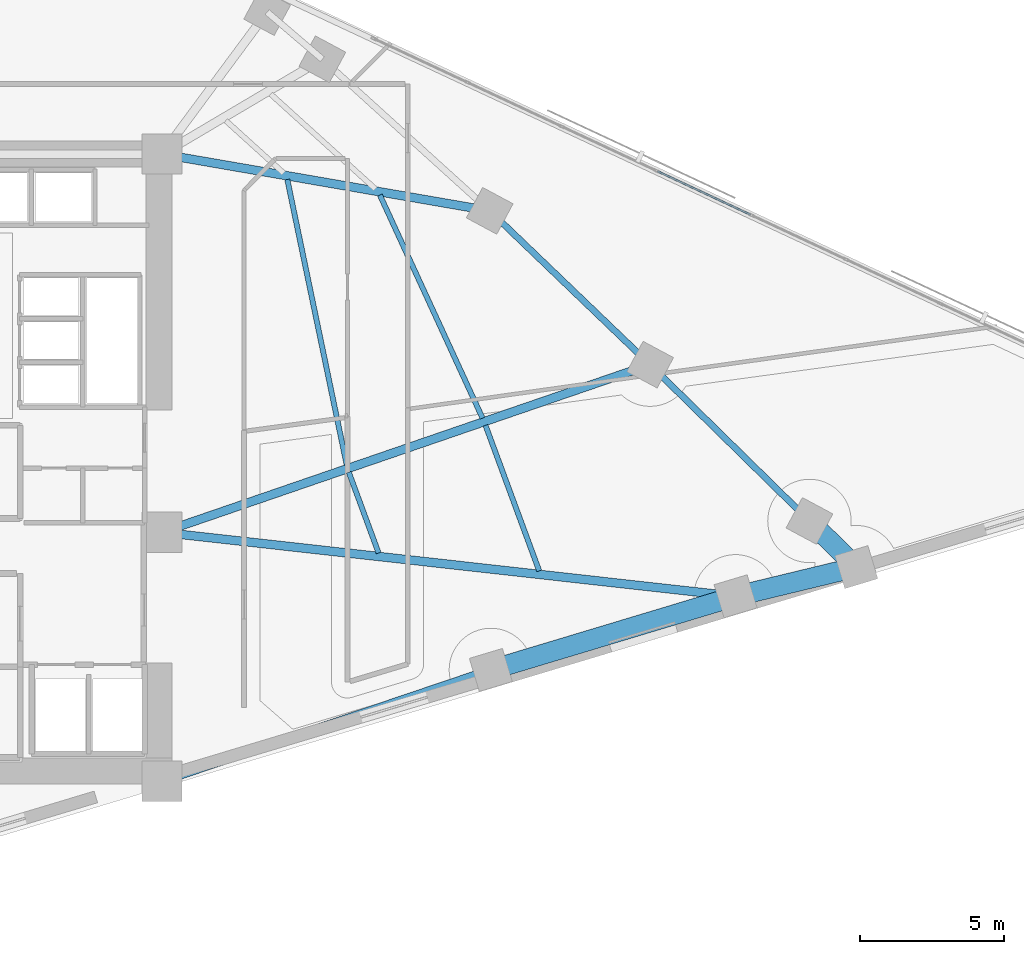
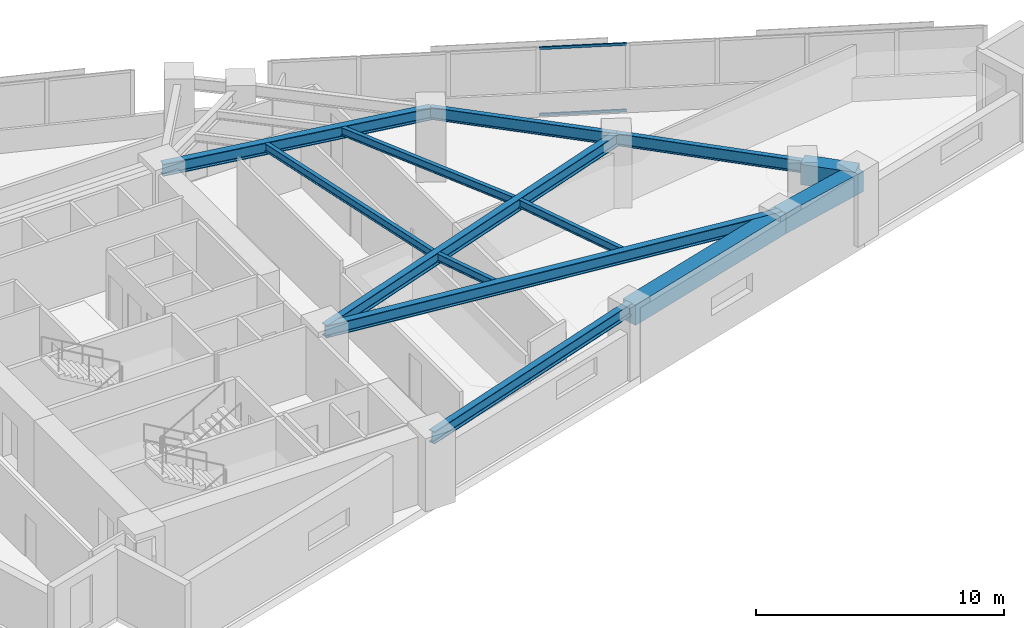
# One storey, part 3 of 16: 13 beams, 2 members, 1 element without a shape of its own.
"""IFC4 building model written with IfcOpenShell, lengths in metres."""

from ifc_helpers import new_model, si_unit, direction, frame, origin, origin_2d, place, context, subcontext, project, spatial, rectangle, hollow_rectangle, i_section, extrude, material, material_profile, profile_set, type_object, element, aggregate, save


model = new_model("IFC4")

# Units and contexts
model_context = context("Model", 3, precision=1e-05, world=origin(), true_north=direction((0.0, 1.0)))
body_context = subcontext(model_context, "Body", "Model", "MODEL_VIEW")
ifc_project = project(units=[si_unit("LENGTHUNIT", "METRE"), si_unit("AREAUNIT", "SQUARE_METRE"), si_unit("VOLUMEUNIT", "CUBIC_METRE"), si_unit("PLANEANGLEUNIT", "RADIAN"), si_unit("MASSUNIT", "GRAM", prefix="KILO")], contexts=[model_context])

# Site, building, storey
site_placement = place(None, origin())
site = spatial("IfcSite", under=ifc_project, at=site_placement, CompositionType="ELEMENT")
building_placement = place(site_placement, origin())
building = spatial("IfcBuilding", under=site, at=building_placement, Name="Narakoshi Arena Tower", CompositionType="ELEMENT")
storey_placement = place(building_placement, frame((0.0, 0.0, 132.300048828125)))
storey = spatial("IfcBuildingStorey", under=building, at=storey_placement, Name="L35", CompositionType="ELEMENT", Elevation=132.300048828125)

# Beams
ifc_material_1 = material(Name="Concrete C60/75", Category="concrete")
ifc_material_profile_1 = material_profile(ifc_material_1, rectangle(XDim=0.699951171875, YDim=1.0, at=origin_2d()), Name="RCB700x1000")
ifc_profile_set_1 = profile_set([ifc_material_profile_1], Name="Concrete C60/75")
beam_type_1 = type_object("IfcBeamType", Name="BM-CPL-1000", PredefinedType="BEAM", material=ifc_profile_set_1)
beam_1_placement = place(storey_placement, frame((96.984619140625, 38.565185546875, 2.83984375), z_axis=(0.957568042752, 0.288207292585, 0.0), x_axis=(-0.288207292585, 0.957568042752, 0.0)))
element("IfcBeam", 1, at=beam_1_placement, inside=storey, type_object=beam_type_1, Name="L35 Perimeter Edge Girder 01", PredefinedType="BEAM", context=body_context, shape_type="SweptSolid", body=[
    extrude(rectangle(XDim=0.699951171875, YDim=1.0, at=origin_2d()), origin(), (0.0, 0.0, 1.0), 8.885986328125),
])
beam_2_placement = place(storey_placement, frame((105.49365234375, 41.126220703125, 2.83984375), z_axis=(0.97211420724, 0.234507927545, 0.0), x_axis=(-0.234507927545, 0.97211420724, 0.0)))
element("IfcBeam", 2, at=beam_2_placement, inside=storey, type_object=beam_type_1, Name="L35 Perimeter Edge Girder 02", PredefinedType="BEAM", context=body_context, shape_type="SweptSolid", body=[
    extrude(rectangle(XDim=0.699951171875, YDim=1.0, at=origin_2d()), origin(), (0.0, 0.0, 1.0), 4.3193359375),
])
beam_3_placement = place(storey_placement, frame((109.692626953125, 42.13916015625, 2.83984375), z_axis=(-0.71252416991, 0.701647566299, 0.0), x_axis=(-0.701647566299, -0.71252416991, 0.0)))
element("IfcBeam", 3, at=beam_3_placement, inside=storey, type_object=beam_type_1, Name="L35 Perimeter Edge Girder 03", PredefinedType="BEAM", context=body_context, shape_type="SweptSolid", body=[
    extrude(rectangle(XDim=0.699951171875, YDim=1.0, at=origin_2d()), origin(), (0.0, 0.0, 1.0), 2.28955078125),
])
ifc_material_2 = material(Name="Structural steel S355J2", Category="steel")
ifc_material_profile_2 = material_profile(ifc_material_2, i_section(OverallWidth=0.219970703125, OverallDepth=0.60009765625, WebThickness=0.011962890625, FlangeThickness=0.01904296875, FilletRadius=0.02392578125, at=origin_2d()), Name="IPE600")
ifc_profile_set_2 = profile_set([ifc_material_profile_2], Name="Structural steel S355J2")
beam_type_2 = type_object("IfcBeamType", Name="BM-EDGE-600", PredefinedType="BEAM", material=ifc_profile_set_2)
beam_4_placement = place(storey_placement, frame((108.061279296875, 43.74560546875, 3.0400390625), z_axis=(-0.713870487965, 0.700277749477, 0.0), x_axis=(-0.700277749477, -0.713870487965, 0.0)))
element("IfcBeam", 4, at=beam_4_placement, inside=storey, type_object=beam_type_2, Name="L35 Perimeter Edge Girder 04", PredefinedType="BEAM", context=body_context, shape_type="SweptSolid", body=[
    extrude(i_section(OverallWidth=0.219970703125, OverallDepth=0.60009765625, WebThickness=0.011962890625, FlangeThickness=0.01904296875, FilletRadius=0.02392578125, at=origin_2d()), origin(), (0.0, 0.0, 1.0), 7.75927734375),
])
beam_5_placement = place(storey_placement, frame((102.522216796875, 49.17919921875, 3.0400390625), z_axis=(-0.721767886663, 0.692135187504, 0.0), x_axis=(-0.692135187504, -0.721767886663, 0.0)))
element("IfcBeam", 5, at=beam_5_placement, inside=storey, type_object=beam_type_2, Name="L35 Perimeter Edge Girder 05", PredefinedType="BEAM", context=body_context, shape_type="SweptSolid", body=[
    extrude(i_section(OverallWidth=0.219970703125, OverallDepth=0.60009765625, WebThickness=0.011962890625, FlangeThickness=0.01904296875, FilletRadius=0.02392578125, at=origin_2d()), origin(), (0.0, 0.0, 1.0), 7.72802734375),
])
ifc_material_profile_3 = material_profile(ifc_material_2, i_section(OverallWidth=0.300048828125, OverallDepth=0.60009765625, WebThickness=0.015380859375, FlangeThickness=0.030029296875, FilletRadius=0.027099609375, at=origin_2d()), Name="HE600B")
ifc_profile_set_3 = profile_set([ifc_material_profile_3], Name="Structural steel S355J2")
beam_type_3 = type_object("IfcBeamType", Name="BM-PRI-600", PredefinedType="BEAM", material=ifc_profile_set_3)
beam_6_placement = place(storey_placement, frame((85.550048828125, 34.699951171875, 3.0400390625), z_axis=(0.947339879376, 0.32022984393, 0.0), x_axis=(-0.32022984393, 0.947339879376, 0.0)))
element("IfcBeam", 6, at=beam_6_placement, inside=storey, type_object=beam_type_3, Name="L35 Radial Primary Floor Girder 01", PredefinedType="BEAM", context=body_context, shape_type="SweptSolid", body=[
    extrude(i_section(OverallWidth=0.300048828125, OverallDepth=0.60009765625, WebThickness=0.015380859375, FlangeThickness=0.030029296875, FilletRadius=0.027099609375, at=origin_2d()), origin(), (0.0, 0.0, 1.0), 12.070068359375),
])
beam_7_placement = place(storey_placement, frame((85.550048828125, 43.35009765625, 3.0400390625), z_axis=(0.99384033484, -0.110821427733, 0.0), x_axis=(0.110821427733, 0.99384033484, 0.0)))
element("IfcBeam", 7, at=beam_7_placement, inside=storey, type_object=beam_type_3, Name="L35 Radial Primary Floor Girder 02", PredefinedType="BEAM", context=body_context, shape_type="SweptSolid", body=[
    extrude(i_section(OverallWidth=0.300048828125, OverallDepth=0.60009765625, WebThickness=0.015380859375, FlangeThickness=0.030029296875, FilletRadius=0.027099609375, at=origin_2d()), origin(), (0.0, 0.0, 1.0), 20.067138671875),
])
beam_8_placement = place(storey_placement, frame((85.550048828125, 43.35009765625, 3.0400390625), z_axis=(0.945773611909, 0.324826530653, 0.0), x_axis=(-0.324826530653, 0.945773611909, 0.0)))
element("IfcBeam", 8, at=beam_8_placement, inside=storey, type_object=beam_type_3, Name="L35 Radial Primary Floor Girder 05", PredefinedType="BEAM", context=body_context, shape_type="SweptSolid", body=[
    extrude(i_section(OverallWidth=0.300048828125, OverallDepth=0.60009765625, WebThickness=0.015380859375, FlangeThickness=0.030029296875, FilletRadius=0.027099609375, at=origin_2d()), origin(), (0.0, 0.0, 1.0), 17.9453125),
])
beam_9_placement = place(storey_placement, frame((85.550048828125, 56.5, 3.0400390625), z_axis=(0.985352893735, -0.170527636492, 0.0), x_axis=(0.170527636492, 0.985352893735, 0.0)))
element("IfcBeam", 9, at=beam_9_placement, inside=storey, type_object=beam_type_3, Name="L35 Radial Primary Floor Girder 06", PredefinedType="BEAM", context=body_context, shape_type="SweptSolid", body=[
    extrude(i_section(OverallWidth=0.300048828125, OverallDepth=0.60009765625, WebThickness=0.015380859375, FlangeThickness=0.030029296875, FilletRadius=0.027099609375, at=origin_2d()), origin(), (0.0, 0.0, 1.0), 11.563720703125),
])
ifc_material_profile_4 = material_profile(ifc_material_2, i_section(OverallWidth=0.179931640625, OverallDepth=0.39990234375, WebThickness=0.008544921875, FlangeThickness=0.013427734375, FilletRadius=0.02099609375, at=origin_2d()), Name="IPE400")
ifc_profile_set_4 = profile_set([ifc_material_profile_4], Name="Structural steel S355J2")
beam_type_4 = type_object("IfcBeamType", Name="BM-SEC-400", PredefinedType="JOIST", material=ifc_profile_set_4)
beam_10_placement = place(storey_placement, frame((93.081787109375, 42.631591796875, 3.139892578125), z_axis=(-0.34615532378, 0.938177217704, 0.0), x_axis=(-0.938177217704, -0.34615532378, 0.0)))
element("IfcBeam", 10, at=beam_10_placement, inside=storey, type_object=beam_type_4, Name="L35 Composite Secondary Floor Joist 01", PredefinedType="JOIST", context=body_context, shape_type="SweptSolid", body=[
    extrude(i_section(OverallWidth=0.179931640625, OverallDepth=0.39990234375, WebThickness=0.008544921875, FlangeThickness=0.013427734375, FilletRadius=0.02099609375, at=origin_2d()), origin(), (0.0, 0.0, 1.0), 2.991943359375),
])
beam_11_placement = place(storey_placement, frame((98.666015625, 42.0087890625, 3.139892578125), z_axis=(-0.346149857455, 0.938179234573, 0.0), x_axis=(-0.938179234573, -0.346149857455, 0.0)))
element("IfcBeam", 11, at=beam_11_placement, inside=storey, type_object=beam_type_4, Name="L35 Composite Secondary Floor Joist 02", PredefinedType="JOIST", context=body_context, shape_type="SweptSolid", body=[
    extrude(i_section(OverallWidth=0.179931640625, OverallDepth=0.39990234375, WebThickness=0.008544921875, FlangeThickness=0.013427734375, FilletRadius=0.02099609375, at=origin_2d()), origin(), (0.0, 0.0, 1.0), 5.3955078125),
])
beam_12_placement = place(storey_placement, frame((91.971923828125, 45.697265625, 3.139892578125), z_axis=(-0.20372238745, 0.979028696644, 0.0), x_axis=(-0.979028696644, -0.20372238745, 0.0)))
element("IfcBeam", 12, at=beam_12_placement, inside=storey, type_object=beam_type_4, Name="L35 Composite Secondary Floor Joist 03", PredefinedType="JOIST", context=body_context, shape_type="SweptSolid", body=[
    extrude(i_section(OverallWidth=0.179931640625, OverallDepth=0.39990234375, WebThickness=0.008544921875, FlangeThickness=0.013427734375, FilletRadius=0.02099609375, at=origin_2d()), origin(), (0.0, 0.0, 1.0), 10.133544921875),
])
beam_13_placement = place(storey_placement, frame((96.6953125, 47.320068359375, 3.139892578125), z_axis=(-0.41799340635, 0.908450060404, 0.0), x_axis=(-0.908450060404, -0.41799340635, 0.0)))
element("IfcBeam", 13, at=beam_13_placement, inside=storey, type_object=beam_type_4, Name="L35 Composite Secondary Floor Joist 04", PredefinedType="JOIST", context=body_context, shape_type="SweptSolid", body=[
    extrude(i_section(OverallWidth=0.179931640625, OverallDepth=0.39990234375, WebThickness=0.008544921875, FlangeThickness=0.013427734375, FilletRadius=0.02099609375, at=origin_2d()), origin(), (0.0, 0.0, 1.0), 8.537353515625),
])

# Curtain wall, members
ifc_material_3 = material(Name="Anodised bronze aluminium 6063-T6", Category="aluminium")
curtain_wall_type = type_object("IfcCurtainWallType", Name="CW-HYP-MID", PredefinedType="NOTDEFINED", material=ifc_material_3)
curtain_wall_placement = place(storey_placement, origin())
curtain_wall = element("IfcCurtainWall", 14, at=curtain_wall_placement, inside=storey, type_object=curtain_wall_type, Name="L35 Folded Hypotenuse Curtain Wall 1-1", PredefinedType="NOTDEFINED")
ifc_material_profile_5 = material_profile(ifc_material_3, hollow_rectangle(XDim=0.06494140625, YDim=0.1298828125, WallThickness=0.00390625, OuterFilletRadius=0.0048828125, at=origin_2d()), Name="TRN130x65x4")
ifc_profile_set_5 = profile_set([ifc_material_profile_5], Name="Anodised bronze aluminium 6063-T6")
member_type = type_object("IfcMemberType", Name="MEM-TRN-130", PredefinedType="USERDEFINED", material=ifc_profile_set_5)
member_1_placement = place(storey_placement, frame((106.008056640625, 54.39404296875, 0.032470703125), z_axis=(-0.905863892755, 0.42356889381, 0.0), x_axis=(-0.42356889381, -0.905863892755, 0.0)))
member_1 = element("IfcMember", 15, at=member_1_placement, type_object=member_type, Name="CW-02 transom 5.1", ObjectType="TRANSOM", PredefinedType="USERDEFINED", context=body_context, shape_type="SweptSolid", body=[
    extrude(hollow_rectangle(XDim=0.06494140625, YDim=0.1298828125, WallThickness=0.00390625, OuterFilletRadius=0.0048828125, at=origin_2d()), origin(), (0.0, 0.0, 1.0), 3.55859375),
])
member_2_placement = place(storey_placement, frame((106.008056640625, 54.39404296875, 3.307373046875), z_axis=(-0.905863892755, 0.42356889381, 0.0), x_axis=(-0.42356889381, -0.905863892755, 0.0)))
member_2 = element("IfcMember", 16, at=member_2_placement, type_object=member_type, Name="CW-02 transom 5.2", ObjectType="TRANSOM", PredefinedType="USERDEFINED", context=body_context, shape_type="SweptSolid", body=[
    extrude(hollow_rectangle(XDim=0.06494140625, YDim=0.1298828125, WallThickness=0.00390625, OuterFilletRadius=0.0048828125, at=origin_2d()), origin(), (0.0, 0.0, 1.0), 3.55859375),
])
aggregate(curtain_wall, [member_1, member_2])

save(model, "model.ifc")
